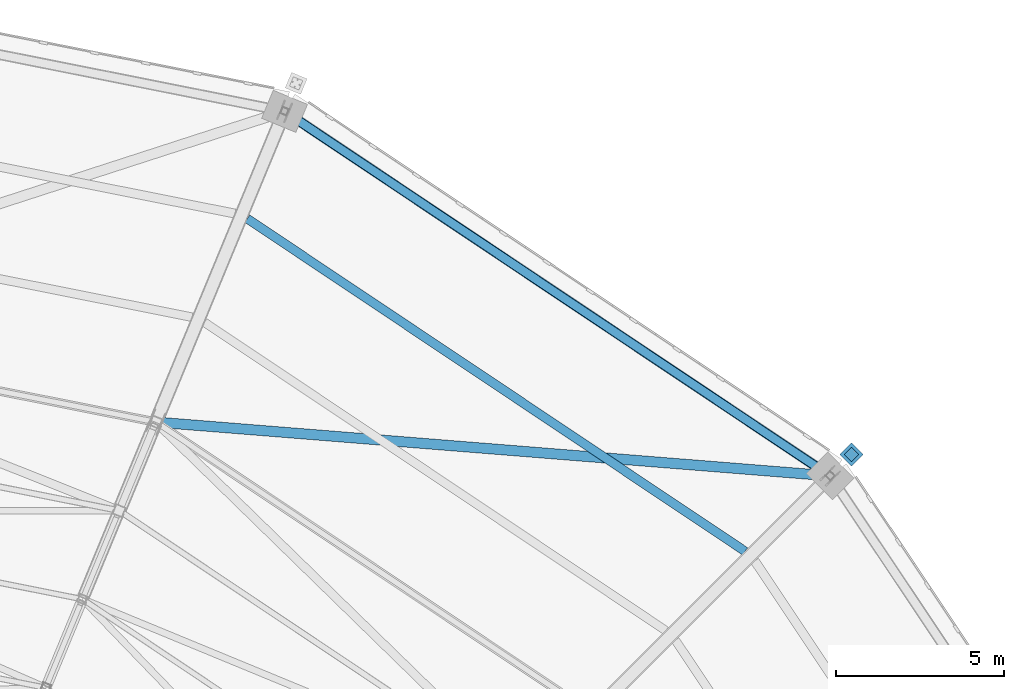
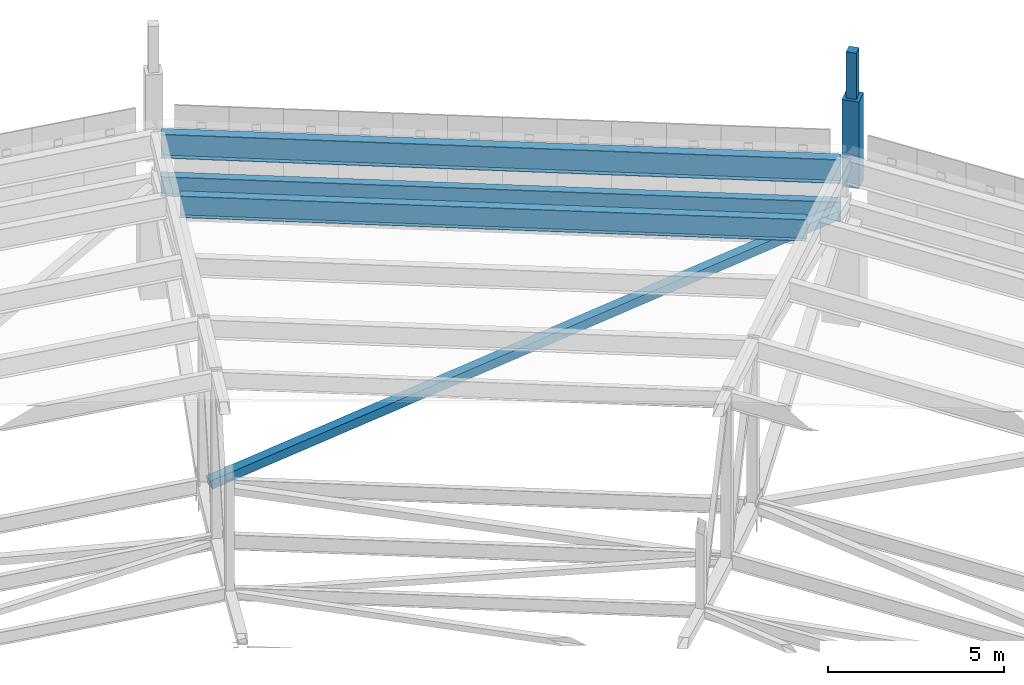
# One storey, part 107 of 278: 6 members.
"""IFC4 building model written with IfcOpenShell, lengths in metres."""

from ifc_helpers import new_model, si_unit, direction, frame, origin, origin_2d, place, context, subcontext, project, spatial, rectangle, hollow_rectangle, i_section, extrude, material, material_profile, profile_set, type_object, element, save


model = new_model("IFC4")

# Units and contexts
model_context = context("Model", 3, precision=1e-05, world=origin(), true_north=direction((0.0, 1.0)))
body_context = subcontext(model_context, "Body", "Model", "MODEL_VIEW")
ifc_project = project(units=[si_unit("LENGTHUNIT", "METRE"), si_unit("AREAUNIT", "SQUARE_METRE"), si_unit("VOLUMEUNIT", "CUBIC_METRE"), si_unit("PLANEANGLEUNIT", "RADIAN"), si_unit("MASSUNIT", "GRAM", prefix="KILO")], contexts=[model_context])

# Site, building, storey
site_placement = place(None, origin())
site = spatial("IfcSite", under=ifc_project, at=site_placement, CompositionType="ELEMENT")
building_placement = place(site_placement, origin())
building = spatial("IfcBuilding", under=site, at=building_placement, Name="Ogive Plaza Stadium", CompositionType="ELEMENT")
storey_placement = place(building_placement, frame((0.0, 0.0, 29.0)))
storey = spatial("IfcBuildingStorey", under=building, at=storey_placement, Name="Roof", CompositionType="ELEMENT", Elevation=29.0)

# Members
ifc_material_1 = material(Name="Concrete C45/55 precast", Category="concrete")
ifc_material_profile_1 = material_profile(ifc_material_1, rectangle(XDim=0.5, YDim=0.5, at=origin_2d()), Name="RC 500x500")
ifc_profile_set_1 = profile_set([ifc_material_profile_1], Name="Concrete C45/55 precast")
member_type_1 = type_object("IfcMemberType", Name="Precast pinnacle 500x500", PredefinedType="POST", material=ifc_profile_set_1)
member_1_placement = place(storey_placement, frame((69.99169921875, 88.49169921875, 4.0), z_axis=(0.0, 0.0, 1.0), x_axis=(-0.707106781187, 0.707106781187, 0.0)))
element("IfcMember", 1, at=member_1_placement, inside=storey, type_object=member_type_1, Name="PINNACLE R39", PredefinedType="POST", context=body_context, shape_type="SweptSolid", body=[
    extrude(rectangle(XDim=0.5, YDim=0.5, at=origin_2d()), origin(), (0.0, 0.0, 1.0), 3.0),
])
ifc_material_2 = material(Name="Concrete C45/55 precast", Category="concrete")
ifc_material_profile_2 = material_profile(ifc_material_2, rectangle(XDim=0.300048828125, YDim=0.300048828125, at=origin_2d()), Name="RC 300x300")
ifc_profile_set_2 = profile_set([ifc_material_profile_2], Name="Concrete C45/55 precast")
member_type_2 = type_object("IfcMemberType", Name="Precast spire 300x300", PredefinedType="MEMBER", material=ifc_profile_set_2)
member_2_placement = place(storey_placement, frame((69.99169921875, 88.49169921875, 7.0), z_axis=(0.0, 0.0, 1.0), x_axis=(-0.707106781187, 0.707106781187, 0.0)))
element("IfcMember", 2, at=member_2_placement, inside=storey, type_object=member_type_2, Name="SPIRE R39", PredefinedType="MEMBER", context=body_context, shape_type="SweptSolid", body=[
    extrude(rectangle(XDim=0.300048828125, YDim=0.300048828125, at=origin_2d()), origin(), (0.0, 0.0, 1.0), 1.60009765625),
])
ifc_material_3 = material(Name="Steel ASTM A500 Grade C", Category="steel")
ifc_material_profile_3 = material_profile(ifc_material_3, hollow_rectangle(XDim=0.3046875, YDim=0.3046875, WallThickness=0.0087890625, at=origin_2d()), Name="HSS12X12X3/8")
ifc_profile_set_3 = profile_set([ifc_material_profile_3], Name="Steel ASTM A500 Grade C")
member_type_3 = type_object("IfcMemberType", Name="Roof plan brace HSS12X12X3/8", PredefinedType="BRACE", material=ifc_profile_set_3)
member_3_placement = place(storey_placement, frame((49.486328125, 89.44091796875, 0.234130859375), z_axis=(0.982279512354, -0.078381095725, 0.170245010036), x_axis=(0.07954227259, 0.99683149372, 0.0)))
element("IfcMember", 3, at=member_3_placement, inside=storey, type_object=member_type_3, Name="ROOF BRACE B38 11", PredefinedType="BRACE", context=body_context, shape_type="SweptSolid", body=[
    extrude(hollow_rectangle(XDim=0.3046875, YDim=0.3046875, WallThickness=0.0087890625, at=origin_2d()), origin(), (0.0, 0.0, 1.0), 19.99072265625),
])
ifc_material_4 = material(Name="Steel ASTM A992 Grade 50", Category="steel")
ifc_material_profile_4 = material_profile(ifc_material_4, i_section(OverallWidth=0.2529296875, OverallDepth=0.678466796875, WebThickness=0.01171875, FlangeThickness=0.016357421875, at=origin_2d()), Name="W27X84")
ifc_profile_set_4 = profile_set([ifc_material_profile_4], Name="Steel ASTM A992 Grade 50")
member_type_4 = type_object("IfcMemberType", Name="Roof plan strut W27X84", PredefinedType="STRUT", material=ifc_profile_set_4)
member_4_placement = place(storey_placement, frame((53.21630859375, 98.63916015625, 3.677734375), z_axis=(0.831466346809, -0.555575120146, 0.0), x_axis=(0.555575120146, 0.831466346809, 0.0)))
element("IfcMember", 4, at=member_4_placement, inside=storey, type_object=member_type_4, Name="ROOF STRUT B38 11", PredefinedType="STRUT", context=body_context, shape_type="SweptSolid", body=[
    extrude(i_section(OverallWidth=0.2529296875, OverallDepth=0.678466796875, WebThickness=0.01171875, FlangeThickness=0.016357421875, at=origin_2d()), origin(), (0.0, 0.0, 1.0), 19.3115234375),
])
ifc_material_5 = material(Name="Steel ASTM A992 Grade 50", Category="steel")
ifc_material_profile_5 = material_profile(ifc_material_5, i_section(OverallWidth=0.26416015625, OverallDepth=0.75, WebThickness=0.011962890625, FlangeThickness=0.015380859375, at=origin_2d()), Name="W30X90")
ifc_profile_set_5 = profile_set([ifc_material_profile_5], Name="Steel ASTM A992 Grade 50")
member_type_5 = type_object("IfcMemberType", Name="Roof purlin W30X90", PredefinedType="PURLIN", material=ifc_profile_set_5)
member_5_placement = place(storey_placement, frame((52.02783203125, 95.50146484375, 5.291748046875), z_axis=(0.831463264893, -0.555579732472, 0.0), x_axis=(0.555579732472, 0.831463264893, 0.0)))
element("IfcMember", 5, at=member_5_placement, inside=storey, type_object=member_type_5, Name="ROOF PURLIN B38 12", PredefinedType="PURLIN", context=body_context, shape_type="SweptSolid", body=[
    extrude(i_section(OverallWidth=0.26416015625, OverallDepth=0.75, WebThickness=0.011962890625, FlangeThickness=0.015380859375, at=origin_2d()), origin(), (0.0, 0.0, 1.0), 17.801513671875),
])
ifc_material_6 = material(Name="Steel ASTM A992 Grade 50", Category="steel")
ifc_material_profile_6 = material_profile(ifc_material_6, i_section(OverallWidth=0.2919921875, OverallDepth=0.834716796875, WebThickness=0.013916015625, FlangeThickness=0.018798828125, at=origin_2d()), Name="W33X118")
ifc_profile_set_6 = profile_set([ifc_material_profile_6], Name="Steel ASTM A992 Grade 50")
member_type_6 = type_object("IfcMemberType", Name="Roof purlin W33X118", PredefinedType="PURLIN", material=ifc_profile_set_6)
member_6_placement = place(storey_placement, frame((53.219482421875, 98.636962890625, 5.082763671875), z_axis=(0.831470010703, -0.55556963677, 0.0), x_axis=(0.55556963677, 0.831470010703, 0.0)))
element("IfcMember", 6, at=member_6_placement, inside=storey, type_object=member_type_6, Name="ROOF PURLIN B38 13", PredefinedType="PURLIN", context=body_context, shape_type="SweptSolid", body=[
    extrude(i_section(OverallWidth=0.2919921875, OverallDepth=0.834716796875, WebThickness=0.013916015625, FlangeThickness=0.018798828125, at=origin_2d()), origin(), (0.0, 0.0, 1.0), 19.3037109375),
])

save(model, "model.ifc")
